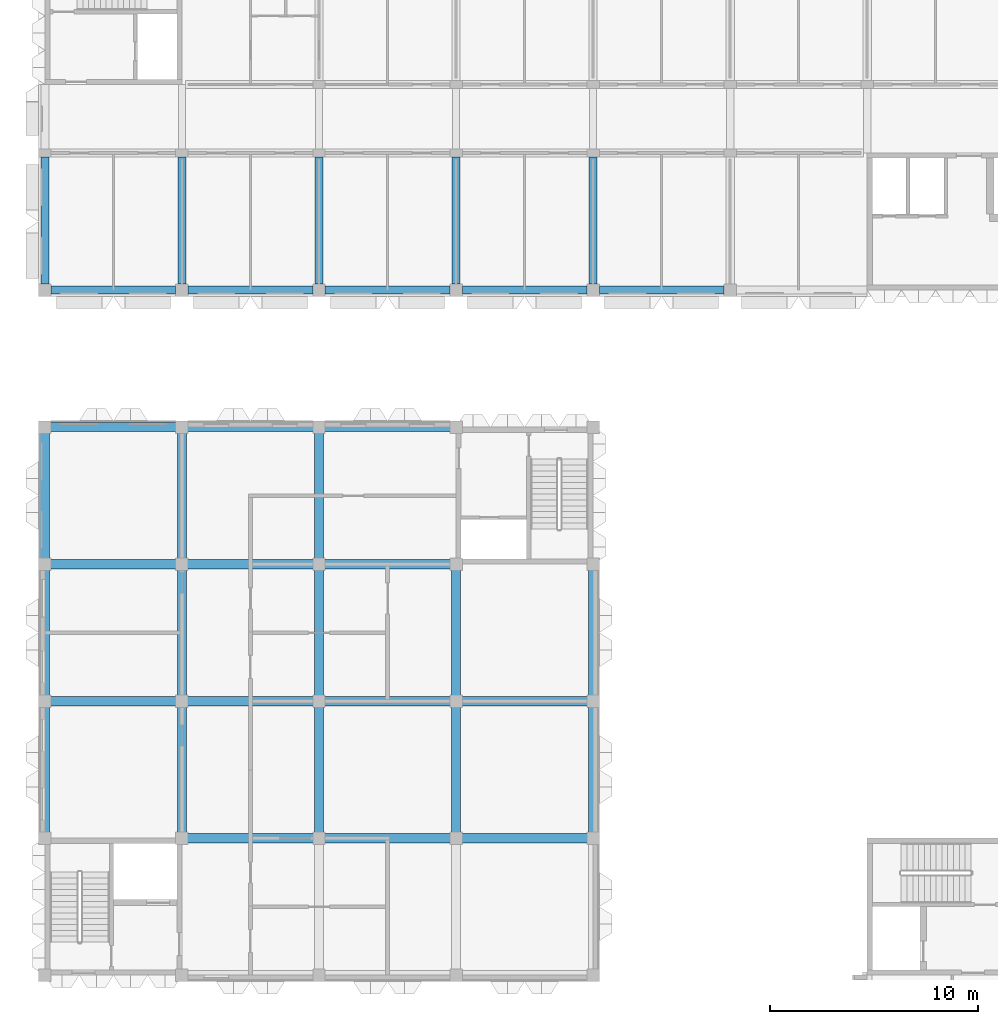
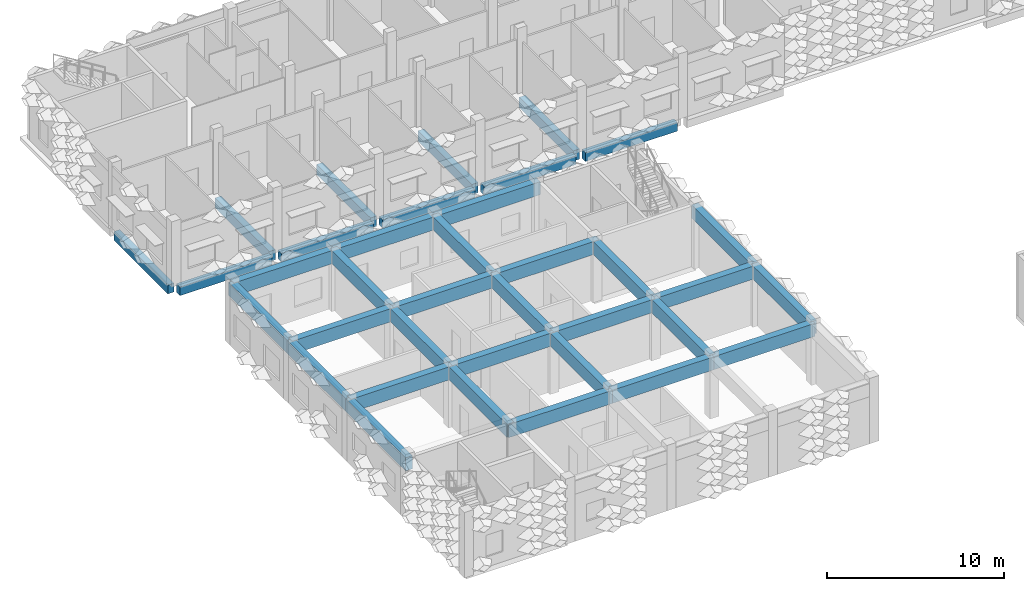
# One storey, part 16 of 87: 36 beams.
"""IFC4 building model written with IfcOpenShell, lengths in metres."""

from ifc_helpers import new_model, si_unit, direction, frame, origin, origin_2d, place, context, subcontext, project, spatial, rectangle, extrude, material, material_profile, profile_set, type_object, element, save


model = new_model("IFC4")

# Units and contexts
model_context = context("Model", 3, precision=1e-05, world=origin(), true_north=direction((0.0, 1.0)))
body_context = subcontext(model_context, "Body", "Model", "MODEL_VIEW")
ifc_project = project(units=[si_unit("LENGTHUNIT", "METRE"), si_unit("AREAUNIT", "SQUARE_METRE"), si_unit("VOLUMEUNIT", "CUBIC_METRE"), si_unit("PLANEANGLEUNIT", "RADIAN"), si_unit("MASSUNIT", "GRAM", prefix="KILO")], contexts=[model_context])

# Site, building, storey
site_placement = place(None, origin())
site = spatial("IfcSite", under=ifc_project, at=site_placement, CompositionType="ELEMENT")
building_placement = place(site_placement, origin())
building = spatial("IfcBuilding", under=site, at=building_placement, Name="Lantern Court Research Institute", CompositionType="ELEMENT")
storey_placement = place(building_placement, frame((0.0, 0.0, 5.39990234375)))
storey = spatial("IfcBuildingStorey", under=building, at=storey_placement, Name="L01", CompositionType="ELEMENT", Elevation=5.39990234375)

# Beams
ifc_material_1 = material(Name="Concrete C40/50", Category="concrete")
ifc_material_profile_1 = material_profile(ifc_material_1, rectangle(XDim=0.449951171875, YDim=0.89990234375, at=origin_2d()), Name="Clean room beam 450 x 900")
ifc_profile_set_1 = profile_set([ifc_material_profile_1], Name="Concrete C40/50")
beam_type_1 = type_object("IfcBeamType", Name="Clean room beam 450 x 900", PredefinedType="BEAM", material=ifc_profile_set_1)
beam_1_placement = place(storey_placement, frame((6.449951171875, 56.10009765625, 3.7001953125), z_axis=(1.0, 0.0, 0.0), x_axis=(0.0, 1.0, 0.0)))
element("IfcBeam", 1, at=beam_1_placement, inside=storey, type_object=beam_type_1, Name="Clean room beam", PredefinedType="BEAM", context=body_context, shape_type="SweptSolid", body=[
    extrude(rectangle(XDim=0.449951171875, YDim=0.89990234375, at=origin_2d()), origin(), (0.0, 0.0, 1.0), 6.75),
])
beam_2_placement = place(storey_placement, frame((13.199951171875, 56.10009765625, 3.7001953125), z_axis=(1.0, 0.0, 0.0), x_axis=(0.0, 1.0, 0.0)))
element("IfcBeam", 2, at=beam_2_placement, inside=storey, type_object=beam_type_1, Name="Clean room beam", PredefinedType="BEAM", context=body_context, shape_type="SweptSolid", body=[
    extrude(rectangle(XDim=0.449951171875, YDim=0.89990234375, at=origin_2d()), origin(), (0.0, 0.0, 1.0), 6.60009765625),
])
beam_3_placement = place(storey_placement, frame((19.800048828125, 56.10009765625, 3.7001953125), z_axis=(1.0, 0.0, 0.0), x_axis=(0.0, 1.0, 0.0)))
element("IfcBeam", 3, at=beam_3_placement, inside=storey, type_object=beam_type_1, Name="Clean room beam", PredefinedType="BEAM", context=body_context, shape_type="SweptSolid", body=[
    extrude(rectangle(XDim=0.449951171875, YDim=0.89990234375, at=origin_2d()), origin(), (0.0, 0.0, 1.0), 6.599853515625),
])
beam_4_placement = place(storey_placement, frame((0.0, 62.699951171875, 3.7001953125), z_axis=(1.0, 0.0, 0.0), x_axis=(0.0, 1.0, 0.0)))
element("IfcBeam", 4, at=beam_4_placement, inside=storey, type_object=beam_type_1, Name="Clean room beam", PredefinedType="BEAM", context=body_context, shape_type="SweptSolid", body=[
    extrude(rectangle(XDim=0.449951171875, YDim=0.89990234375, at=origin_2d()), origin(), (0.0, 0.0, 1.0), 6.60009765625),
])
beam_5_placement = place(storey_placement, frame((6.60009765625, 62.699951171875, 3.7001953125), z_axis=(1.0, 0.0, 0.0), x_axis=(0.0, 1.0, 0.0)))
element("IfcBeam", 5, at=beam_5_placement, inside=storey, type_object=beam_type_1, Name="Clean room beam", PredefinedType="BEAM", context=body_context, shape_type="SweptSolid", body=[
    extrude(rectangle(XDim=0.449951171875, YDim=0.89990234375, at=origin_2d()), origin(), (0.0, 0.0, 1.0), 6.599853515625),
])
beam_6_placement = place(storey_placement, frame((13.199951171875, 62.699951171875, 3.7001953125), z_axis=(1.0, 0.0, 0.0), x_axis=(0.0, 1.0, 0.0)))
element("IfcBeam", 6, at=beam_6_placement, inside=storey, type_object=beam_type_1, Name="Clean room beam", PredefinedType="BEAM", context=body_context, shape_type="SweptSolid", body=[
    extrude(rectangle(XDim=0.449951171875, YDim=0.89990234375, at=origin_2d()), origin(), (0.0, 0.0, 1.0), 6.60009765625),
])
beam_7_placement = place(storey_placement, frame((19.800048828125, 62.699951171875, 3.7001953125), z_axis=(1.0, 0.0, 0.0), x_axis=(0.0, 1.0, 0.0)))
element("IfcBeam", 7, at=beam_7_placement, inside=storey, type_object=beam_type_1, Name="Clean room beam", PredefinedType="BEAM", context=body_context, shape_type="SweptSolid", body=[
    extrude(rectangle(XDim=0.449951171875, YDim=0.89990234375, at=origin_2d()), origin(), (0.0, 0.0, 1.0), 6.599853515625),
])
beam_8_placement = place(storey_placement, frame((0.0, 69.300048828125, 3.7001953125), z_axis=(1.0, 0.0, 0.0), x_axis=(0.0, 1.0, 0.0)))
element("IfcBeam", 8, at=beam_8_placement, inside=storey, type_object=beam_type_1, Name="Clean room beam", PredefinedType="BEAM", context=body_context, shape_type="SweptSolid", body=[
    extrude(rectangle(XDim=0.449951171875, YDim=0.89990234375, at=origin_2d()), origin(), (0.0, 0.0, 1.0), 6.60009765625),
])
beam_9_placement = place(storey_placement, frame((6.60009765625, 69.300048828125, 3.7001953125), z_axis=(1.0, 0.0, 0.0), x_axis=(0.0, 1.0, 0.0)))
element("IfcBeam", 9, at=beam_9_placement, inside=storey, type_object=beam_type_1, Name="Clean room beam", PredefinedType="BEAM", context=body_context, shape_type="SweptSolid", body=[
    extrude(rectangle(XDim=0.449951171875, YDim=0.89990234375, at=origin_2d()), origin(), (0.0, 0.0, 1.0), 6.599853515625),
])
beam_10_placement = place(storey_placement, frame((13.199951171875, 69.300048828125, 3.7001953125), z_axis=(1.0, 0.0, 0.0), x_axis=(0.0, 1.0, 0.0)))
element("IfcBeam", 10, at=beam_10_placement, inside=storey, type_object=beam_type_1, Name="Clean room beam", PredefinedType="BEAM", context=body_context, shape_type="SweptSolid", body=[
    extrude(rectangle(XDim=0.449951171875, YDim=0.89990234375, at=origin_2d()), origin(), (0.0, 0.0, 1.0), 6.75),
])
beam_11_placement = place(storey_placement, frame((0.0, 75.89990234375, 3.7001953125), z_axis=(1.0, 0.0, 0.0), x_axis=(0.0, 1.0, 0.0)))
element("IfcBeam", 11, at=beam_11_placement, inside=storey, type_object=beam_type_1, Name="Clean room beam", PredefinedType="BEAM", context=body_context, shape_type="SweptSolid", body=[
    extrude(rectangle(XDim=0.449951171875, YDim=0.89990234375, at=origin_2d()), origin(), (0.0, 0.0, 1.0), 6.60009765625),
])
beam_12_placement = place(storey_placement, frame((6.60009765625, 75.89990234375, 3.7001953125), z_axis=(1.0, 0.0, 0.0), x_axis=(0.0, 1.0, 0.0)))
element("IfcBeam", 12, at=beam_12_placement, inside=storey, type_object=beam_type_1, Name="Clean room beam", PredefinedType="BEAM", context=body_context, shape_type="SweptSolid", body=[
    extrude(rectangle(XDim=0.449951171875, YDim=0.89990234375, at=origin_2d()), origin(), (0.0, 0.0, 1.0), 6.599853515625),
])
for number, where, z_axis, x_axis, name in (
    (13, (13.199951171875, 75.89990234375, 3.7001953125), (1.0, 0.0, 0.0), (0.0, 1.0, 0.0), "Clean room beam"),
    (14, (0.0, 55.949951171875, 3.7001953125), (0.0, 1.0, 0.0), (-1.0, 0.0, 0.0), "Clean room beam"),
):
    element("IfcBeam", number, at=place(storey_placement, frame(where, z_axis=z_axis, x_axis=x_axis)), inside=storey, type_object=beam_type_1, Name=name, PredefinedType="BEAM", context=body_context, shape_type="SweptSolid", body=[
        extrude(rectangle(XDim=0.449951171875, YDim=0.89990234375, at=origin_2d()), origin(), (0.0, 0.0, 1.0), 6.75),
    ])
beam_13_placement = place(storey_placement, frame((0.0, 62.699951171875, 3.7001953125), z_axis=(0.0, 1.0, 0.0), x_axis=(-1.0, 0.0, 0.0)))
element("IfcBeam", 15, at=beam_13_placement, inside=storey, type_object=beam_type_1, Name="Clean room beam", PredefinedType="BEAM", context=body_context, shape_type="SweptSolid", body=[
    extrude(rectangle(XDim=0.449951171875, YDim=0.89990234375, at=origin_2d()), origin(), (0.0, 0.0, 1.0), 6.60009765625),
])
beam_14_placement = place(storey_placement, frame((0.0, 69.300048828125, 3.7001953125), z_axis=(0.0, 1.0, 0.0), x_axis=(-1.0, 0.0, 0.0)))
element("IfcBeam", 16, at=beam_14_placement, inside=storey, type_object=beam_type_1, Name="Clean room beam", PredefinedType="BEAM", context=body_context, shape_type="SweptSolid", body=[
    extrude(rectangle(XDim=0.449951171875, YDim=0.89990234375, at=origin_2d()), origin(), (0.0, 0.0, 1.0), 6.599853515625),
])
beam_15_placement = place(storey_placement, frame((6.60009765625, 55.949951171875, 3.7001953125), z_axis=(0.0, 1.0, 0.0), x_axis=(-1.0, 0.0, 0.0)))
element("IfcBeam", 17, at=beam_15_placement, inside=storey, type_object=beam_type_1, Name="Clean room beam", PredefinedType="BEAM", context=body_context, shape_type="SweptSolid", body=[
    extrude(rectangle(XDim=0.449951171875, YDim=0.89990234375, at=origin_2d()), origin(), (0.0, 0.0, 1.0), 6.75),
])
beam_16_placement = place(storey_placement, frame((6.60009765625, 62.699951171875, 3.7001953125), z_axis=(0.0, 1.0, 0.0), x_axis=(-1.0, 0.0, 0.0)))
element("IfcBeam", 18, at=beam_16_placement, inside=storey, type_object=beam_type_1, Name="Clean room beam", PredefinedType="BEAM", context=body_context, shape_type="SweptSolid", body=[
    extrude(rectangle(XDim=0.449951171875, YDim=0.89990234375, at=origin_2d()), origin(), (0.0, 0.0, 1.0), 6.60009765625),
])
for number, where, z_axis, x_axis, name in (
    (19, (6.60009765625, 69.300048828125, 3.7001953125), (0.0, 1.0, 0.0), (-1.0, 0.0, 0.0), "Clean room beam"),
    (20, (13.199951171875, 56.10009765625, 3.7001953125), (0.0, 1.0, 0.0), (-1.0, 0.0, 0.0), "Clean room beam"),
):
    element("IfcBeam", number, at=place(storey_placement, frame(where, z_axis=z_axis, x_axis=x_axis)), inside=storey, type_object=beam_type_1, Name=name, PredefinedType="BEAM", context=body_context, shape_type="SweptSolid", body=[
        extrude(rectangle(XDim=0.449951171875, YDim=0.89990234375, at=origin_2d()), origin(), (0.0, 0.0, 1.0), 6.599853515625),
    ])
beam_17_placement = place(storey_placement, frame((13.199951171875, 62.699951171875, 3.7001953125), z_axis=(0.0, 1.0, 0.0), x_axis=(-1.0, 0.0, 0.0)))
element("IfcBeam", 21, at=beam_17_placement, inside=storey, type_object=beam_type_1, Name="Clean room beam", PredefinedType="BEAM", context=body_context, shape_type="SweptSolid", body=[
    extrude(rectangle(XDim=0.449951171875, YDim=0.89990234375, at=origin_2d()), origin(), (0.0, 0.0, 1.0), 6.60009765625),
])
for number, where, z_axis, x_axis, name in (
    (22, (13.199951171875, 69.300048828125, 3.7001953125), (0.0, 1.0, 0.0), (-1.0, 0.0, 0.0), "Clean room beam"),
    (23, (19.800048828125, 56.10009765625, 3.7001953125), (0.0, 1.0, 0.0), (-1.0, 0.0, 0.0), "Clean room beam"),
):
    element("IfcBeam", number, at=place(storey_placement, frame(where, z_axis=z_axis, x_axis=x_axis)), inside=storey, type_object=beam_type_1, Name=name, PredefinedType="BEAM", context=body_context, shape_type="SweptSolid", body=[
        extrude(rectangle(XDim=0.449951171875, YDim=0.89990234375, at=origin_2d()), origin(), (0.0, 0.0, 1.0), 6.599853515625),
    ])
beam_18_placement = place(storey_placement, frame((19.800048828125, 62.699951171875, 3.7001953125), z_axis=(0.0, 1.0, 0.0), x_axis=(-1.0, 0.0, 0.0)))
element("IfcBeam", 24, at=beam_18_placement, inside=storey, type_object=beam_type_1, Name="Clean room beam", PredefinedType="BEAM", context=body_context, shape_type="SweptSolid", body=[
    extrude(rectangle(XDim=0.449951171875, YDim=0.89990234375, at=origin_2d()), origin(), (0.0, 0.0, 1.0), 6.75),
])
beam_19_placement = place(storey_placement, frame((26.39990234375, 56.10009765625, 3.7001953125), z_axis=(0.0, 1.0, 0.0), x_axis=(-1.0, 0.0, 0.0)))
element("IfcBeam", 25, at=beam_19_placement, inside=storey, type_object=beam_type_1, Name="Clean room beam", PredefinedType="BEAM", context=body_context, shape_type="SweptSolid", body=[
    extrude(rectangle(XDim=0.449951171875, YDim=0.89990234375, at=origin_2d()), origin(), (0.0, 0.0, 1.0), 6.599853515625),
])
beam_20_placement = place(storey_placement, frame((26.39990234375, 62.699951171875, 3.7001953125), z_axis=(0.0, 1.0, 0.0), x_axis=(-1.0, 0.0, 0.0)))
element("IfcBeam", 26, at=beam_20_placement, inside=storey, type_object=beam_type_1, Name="Clean room beam", PredefinedType="BEAM", context=body_context, shape_type="SweptSolid", body=[
    extrude(rectangle(XDim=0.449951171875, YDim=0.89990234375, at=origin_2d()), origin(), (0.0, 0.0, 1.0), 6.75),
])
ifc_material_2 = material(Name="Concrete C40/50", Category="concrete")
ifc_material_profile_2 = material_profile(ifc_material_2, rectangle(XDim=0.39990234375, YDim=0.699951171875, at=origin_2d()), Name="RC beam 400 x 700")
ifc_profile_set_2 = profile_set([ifc_material_profile_2], Name="Concrete C40/50")
beam_type_2 = type_object("IfcBeamType", Name="RC beam 400 x 700", PredefinedType="BEAM", material=ifc_profile_set_2)
for number, where, z_axis, x_axis, name in (
    (27, (6.60009765625, 82.800048828125, -0.599853515625), (0.0, 1.0, 0.0), (-1.0, 0.0, 0.0), "Beam L01 grid 2/J-K"),
    (28, (13.199951171875, 82.800048828125, -0.599853515625), (0.0, 1.0, 0.0), (-1.0, 0.0, 0.0), "Beam L01 grid 3/J-K"),
    (29, (19.800048828125, 82.800048828125, -0.599853515625), (0.0, 1.0, 0.0), (-1.0, 0.0, 0.0), "Beam L01 grid 4/J-K"),
    (30, (26.39990234375, 82.800048828125, -0.599853515625), (0.0, 1.0, 0.0), (-1.0, 0.0, 0.0), "Beam L01 grid 5/J-K"),
):
    element("IfcBeam", number, at=place(storey_placement, frame(where, z_axis=z_axis, x_axis=x_axis)), inside=storey, type_object=beam_type_2, Name=name, PredefinedType="BEAM", context=body_context, shape_type="SweptSolid", body=[
        extrude(rectangle(XDim=0.39990234375, YDim=0.699951171875, at=origin_2d()), origin(), (0.0, 0.0, 1.0), 6.099853515625),
    ])
ifc_material_3 = material(Name="Concrete C40/50", Category="concrete")
ifc_material_profile_3 = material_profile(ifc_material_3, rectangle(XDim=0.39990234375, YDim=0.60009765625, at=origin_2d()), Name="RC beam 400 x 600")
ifc_profile_set_3 = profile_set([ifc_material_profile_3], Name="Concrete C40/50")
beam_type_3 = type_object("IfcBeamType", Name="RC edge beam 400 x 600", PredefinedType="BEAM", material=ifc_profile_set_3)
beam_21_placement = place(storey_placement, frame((0.0, 82.800048828125, -0.5498046875), z_axis=(0.0, 1.0, 0.0), x_axis=(-1.0, 0.0, 0.0)))
element("IfcBeam", 31, at=beam_21_placement, inside=storey, type_object=beam_type_3, Name="Edge beam L01 grid 1/J-K", PredefinedType="BEAM", context=body_context, shape_type="SweptSolid", body=[
    extrude(rectangle(XDim=0.39990234375, YDim=0.60009765625, at=origin_2d()), origin(), (0.0, 0.0, 1.0), 6.099853515625),
])
for number, where, z_axis, x_axis, name in (
    (32, (0.300048828125, 82.5, -0.5498046875), (1.0, 0.0, 0.0), (0.0, 1.0, 0.0), "Edge beam L01 grid J/1-2"),
    (33, (6.89990234375, 82.5, -0.5498046875), (1.0, 0.0, 0.0), (0.0, 1.0, 0.0), "Edge beam L01 grid J/2-3"),
    (34, (13.5, 82.5, -0.5498046875), (1.0, 0.0, 0.0), (0.0, 1.0, 0.0), "Edge beam L01 grid J/3-4"),
    (35, (20.10009765625, 82.5, -0.5498046875), (1.0, 0.0, 0.0), (0.0, 1.0, 0.0), "Edge beam L01 grid J/4-5"),
    (36, (26.699951171875, 82.5, -0.5498046875), (1.0, 0.0, 0.0), (0.0, 1.0, 0.0), "Edge beam L01 grid J/5-6"),
):
    element("IfcBeam", number, at=place(storey_placement, frame(where, z_axis=z_axis, x_axis=x_axis)), inside=storey, type_object=beam_type_3, Name=name, PredefinedType="BEAM", context=body_context, shape_type="SweptSolid", body=[
        extrude(rectangle(XDim=0.39990234375, YDim=0.60009765625, at=origin_2d()), origin(), (0.0, 0.0, 1.0), 6.0),
    ])

save(model, "model.ifc")
